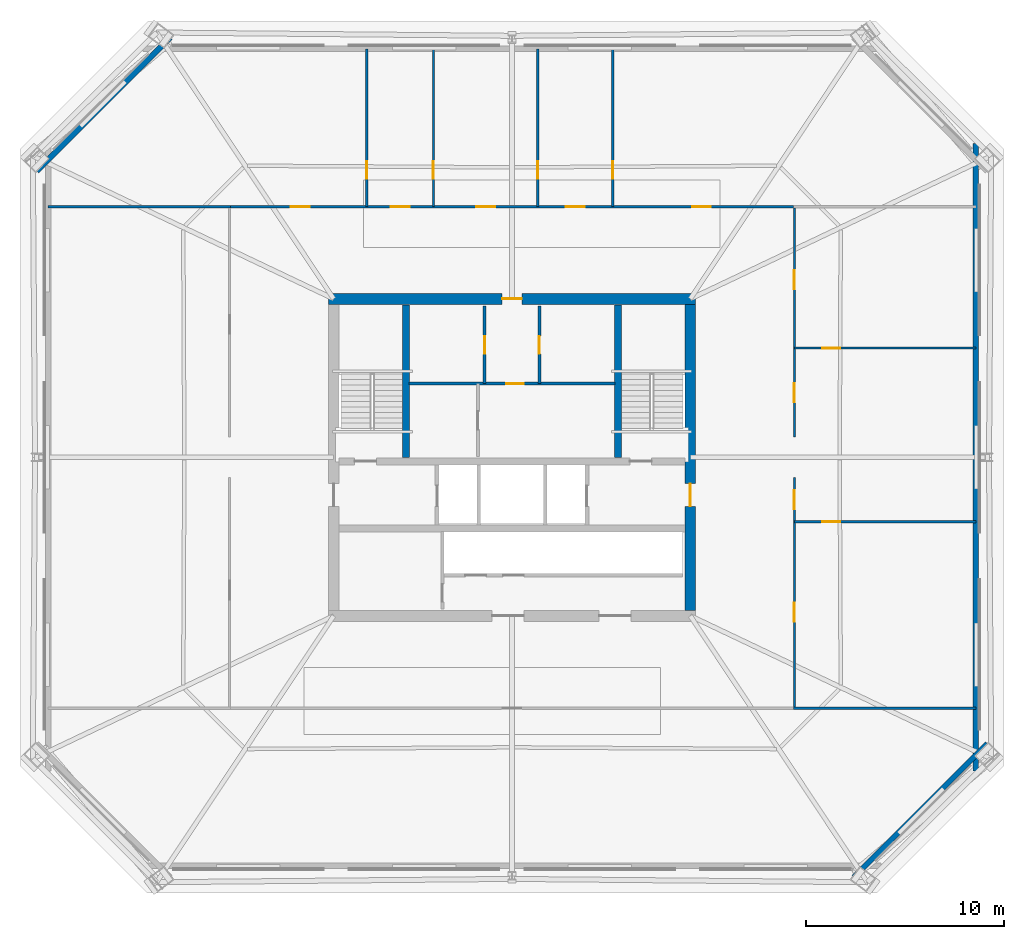
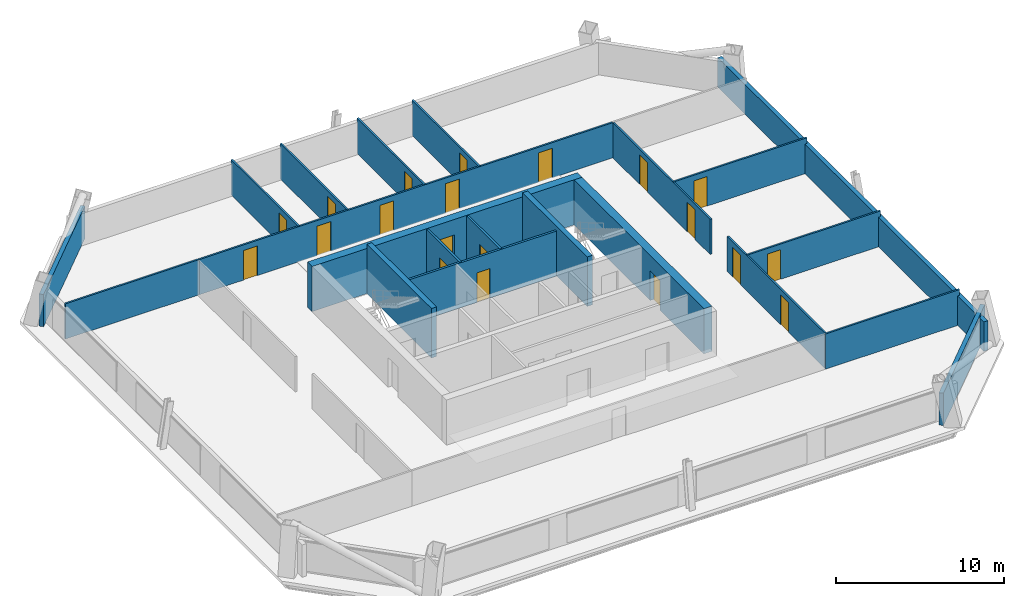
# One storey, part 3 of 6: 21 walls, 20 doors, 20 openings.
"""IFC4 building model written with IfcOpenShell, lengths in metres."""

from ifc_helpers import new_model, si_unit, direction, frame, frame_2d, origin, place, context, subcontext, project, spatial, rectangle, extrude, material, layer, layer_set, type_object, element, fill, save


model = new_model("IFC4")

# Units and contexts
model_context = context("Model", 3, precision=1e-05, world=origin(), true_north=direction((0.0, 1.0)))
body_context = subcontext(model_context, "Body", "Model", "MODEL_VIEW")
ifc_project = project(units=[si_unit("LENGTHUNIT", "METRE"), si_unit("AREAUNIT", "SQUARE_METRE"), si_unit("VOLUMEUNIT", "CUBIC_METRE"), si_unit("PLANEANGLEUNIT", "RADIAN"), si_unit("MASSUNIT", "GRAM", prefix="KILO")], contexts=[model_context])

# Site, building, storey
site_placement = place(None, origin())
site = spatial("IfcSite", under=ifc_project, at=site_placement, CompositionType="ELEMENT")
building_placement = place(site_placement, origin())
building = spatial("IfcBuilding", under=site, at=building_placement, Name="Caelvoria Tower", CompositionType="ELEMENT")
storey_placement = place(building_placement, frame((0.0, 0.0, 163.60009765625)))
storey = spatial("IfcBuildingStorey", under=building, at=storey_placement, Name="L43", CompositionType="ELEMENT", Elevation=163.60009765625)

# Walls
ifc_material_1 = material(Name="Concrete C50/60", Category="concrete")
ifc_layer_1 = layer(ifc_material_1, 0.35009765625, Name="Concrete C50/60")
ifc_layer_set_1 = layer_set([ifc_layer_1], Name="Core Internal Shear Wall 350 - Concrete C50/60")
wall_type_1 = type_object("IfcWallType", Name="Core Internal Shear Wall 350", PredefinedType="SHEAR", material=ifc_layer_set_1)
for number, where, z_axis, x_axis, name in (
    (1, (40.64990234375, 32.0, 0.0), (0.0, 0.0, 1.0), (0.0, 1.0, 0.0), "Interior Partition IW-L43-ST1E"),
    (2, (51.35009765625, 32.0, 0.0), (0.0, 0.0, 1.0), (0.0, 1.0, 0.0), "Interior Partition IW-L43-ST2W"),
):
    element("IfcWall", number, at=place(storey_placement, frame(where, z_axis=z_axis, x_axis=x_axis)), inside=storey, type_object=wall_type_1, Name=name, PredefinedType="SHEAR", context=body_context, shape_type="SweptSolid", body=[
        extrude(rectangle(XDim=7.699951171875, YDim=0.35009765625, at=frame_2d((3.85009765625, 0.0))), origin(), (0.0, 0.0, 1.0), 3.599853515625),
    ])

# Wall, opening, door
ifc_material_2 = material(Name="Double Gypsum Board on Steel Stud", Category="steel")
ifc_layer_2 = layer(ifc_material_2, 0.14990234375, Name="Double Gypsum Board on Steel Stud")
ifc_layer_set_2 = layer_set([ifc_layer_2], Name="Core Service Acoustic Partition Wall 150 - Double Gypsum Board on Steel Stud")
wall_type_2 = type_object("IfcWallType", Name="Core Service Acoustic Partition Wall 150", PredefinedType="PARTITIONING", material=ifc_layer_set_2)
wall_1_placement = place(storey_placement, frame((44.6201171875, 35.719970703125, 0.0), z_axis=(0.0, 0.0, 1.0), x_axis=(0.0, 1.0, 0.0)))
wall_1 = element("IfcWall", 3, at=wall_1_placement, inside=storey, type_object=wall_type_2, Name="Interior Partition IW-L43-C0L", PredefinedType="PARTITIONING", context=body_context, shape_type="SweptSolid", body=[
    extrude(rectangle(XDim=3.929931640625, YDim=0.14990234375, at=frame_2d((1.96484375, 0.0))), origin(), (0.0, 0.0, 1.0), 3.27978515625),
])
opening_1_placement = place(wall_1_placement, frame((1.5, 0.0, 0.0)))
opening_1 = element("IfcOpeningElement", 4, at=opening_1_placement, cuts=wall_1, Name="Opening ID-06", PredefinedType="OPENING", context=body_context, shape_type="SweptSolid", body=[
    extrude(rectangle(XDim=0.89990234375, YDim=2.14990234375, at=frame_2d((0.449951171875, 1.074951171875))), frame((0.0, 0.0849609375, 0.0), z_axis=(0.0, -1.0, 0.0), x_axis=(1.0, 0.0, 0.0)), (0.0, 0.0, 1.0), 0.169921875),
])
ifc_material_3 = material(Name="Engineered Andean Oak Veneer Door", Category="wood")
door_type_1 = type_object("IfcDoorType", Name="Interior Timber Door 900x2150", OperationType="NOTDEFINED", PredefinedType="DOOR", material=ifc_material_3)
door_1_placement = place(opening_1_placement, origin())
door_1 = element("IfcDoor", 5, at=door_1_placement, inside=storey, type_object=door_type_1, Name="Interior Door DR-L43-C01", OperationType="SINGLE_SWING_LEFT", OverallHeight=2.14990234375, OverallWidth=0.89990234375, PredefinedType="DOOR", context=body_context, shape_type="SweptSolid", body=[
    extrude(rectangle(XDim=0.89990234375, YDim=2.14990234375, at=frame_2d((0.449951171875, 1.074951171875))), frame((0.0, 0.02490234375, 0.0), z_axis=(0.0, -1.0, 0.0), x_axis=(1.0, 0.0, 0.0)), (0.0, 0.0, 1.0), 0.050048828125),
])
fill(opening_1, door_1)

wall_2_placement = place(storey_placement, frame((47.3798828125, 35.719970703125, 0.0), z_axis=(0.0, 0.0, 1.0), x_axis=(0.0, 1.0, 0.0)))
wall_2 = element("IfcWall", 6, at=wall_2_placement, inside=storey, type_object=wall_type_2, Name="Interior Partition IW-L43-C0R", PredefinedType="PARTITIONING", context=body_context, shape_type="SweptSolid", body=[
    extrude(rectangle(XDim=3.929931640625, YDim=0.14990234375, at=frame_2d((1.96484375, 0.0))), origin(), (0.0, 0.0, 1.0), 3.27978515625),
])
opening_2_placement = place(wall_2_placement, frame((1.5, 0.0, 0.0)))
opening_2 = element("IfcOpeningElement", 7, at=opening_2_placement, cuts=wall_2, Name="Opening ID-06", PredefinedType="OPENING", context=body_context, shape_type="SweptSolid", body=[
    extrude(rectangle(XDim=0.89990234375, YDim=2.14990234375, at=frame_2d((0.449951171875, 1.074951171875))), frame((0.0, 0.0849609375, 0.0), z_axis=(0.0, -1.0, 0.0), x_axis=(1.0, 0.0, 0.0)), (0.0, 0.0, 1.0), 0.169921875),
])
door_2_placement = place(opening_2_placement, origin())
door_2 = element("IfcDoor", 8, at=door_2_placement, inside=storey, type_object=door_type_1, Name="Interior Door DR-L43-C02", OperationType="SINGLE_SWING_RIGHT", OverallHeight=2.14990234375, OverallWidth=0.89990234375, PredefinedType="DOOR", context=body_context, shape_type="SweptSolid", body=[
    extrude(rectangle(XDim=0.89990234375, YDim=2.14990234375, at=frame_2d((0.449951171875, 1.074951171875))), frame((0.0, 0.02490234375, 0.0), z_axis=(0.0, -1.0, 0.0), x_axis=(1.0, 0.0, 0.0)), (0.0, 0.0, 1.0), 0.050048828125),
])
fill(opening_2, door_2)

wall_3_placement = place(storey_placement, frame((40.800048828125, 35.719970703125, 0.0), z_axis=(0.0, 0.0, 1.0), x_axis=(1.0, 0.0, 0.0)))
wall_3 = element("IfcWall", 9, at=wall_3_placement, inside=storey, type_object=wall_type_2, Name="Interior Partition IW-L43-C0H", PredefinedType="PARTITIONING", context=body_context, shape_type="SweptSolid", body=[
    extrude(rectangle(XDim=10.39990234375, YDim=0.14990234375, at=frame_2d((5.199951171875, 0.0))), origin(), (0.0, 0.0, 1.0), 3.27978515625),
])
opening_3_placement = place(wall_3_placement, frame((4.89990234375, 0.0, 0.0)))
opening_3 = element("IfcOpeningElement", 10, at=opening_3_placement, cuts=wall_3, Name="Opening ID-04", PredefinedType="OPENING", context=body_context, shape_type="SweptSolid", body=[
    extrude(rectangle(XDim=0.89990234375, YDim=2.14990234375, at=frame_2d((0.449951171875, 1.074951171875))), frame((0.0, 0.0849609375, 0.0), z_axis=(0.0, -1.0, 0.0), x_axis=(1.0, 0.0, 0.0)), (0.0, 0.0, 1.0), 0.169921875),
])
ifc_material_4 = material(Name="Acoustic Timber Fire Door", Category="wood")
door_type_2 = type_object("IfcDoorType", Name="Fire Door FD30S 900x2150", OperationType="NOTDEFINED", PredefinedType="DOOR", material=ifc_material_4)
door_3_placement = place(opening_3_placement, origin())
door_3 = element("IfcDoor", 11, at=door_3_placement, inside=storey, type_object=door_type_2, Name="Interior Door DR-L43-C04", OperationType="SINGLE_SWING_RIGHT", OverallHeight=2.14990234375, OverallWidth=0.89990234375, PredefinedType="DOOR", context=body_context, shape_type="SweptSolid", body=[
    extrude(rectangle(XDim=0.89990234375, YDim=2.14990234375, at=frame_2d((0.449951171875, 1.074951171875))), frame((0.0, 0.02490234375, 0.0), z_axis=(0.0, -1.0, 0.0), x_axis=(1.0, 0.0, 0.0)), (0.0, 0.0, 1.0), 0.050048828125),
])
fill(opening_3, door_3)

# Walls
ifc_material_5 = material(Name="Precast Concrete C40/50 with Bronze Cladding", Category="concrete")
ifc_layer_3 = layer(ifc_material_5, 0.280029296875, Name="Precast Concrete C40/50 with Bronze Cladding")
ifc_layer_set_3 = layer_set([ifc_layer_3], Name="Exterior Precast Concrete C40/50 Bronze-Clad Facade Wall 280 - Precast Concrete C40/50 with Bronze Cladding")
wall_type_3 = type_object("IfcWallType", Name="Exterior Precast Concrete C40/50 Bronze-Clad Facade Wall 280", PredefinedType="STANDARD", material=ifc_layer_set_3)
wall_4_placement = place(storey_placement, frame((63.25439453125, 10.80615234375, 0.0), z_axis=(0.0, 0.0, 1.0), x_axis=(0.707119588888, 0.707093973253, 0.0)))
element("IfcWall", 12, at=wall_4_placement, inside=storey, type_object=wall_type_3, Name="Exterior Facade Wall L43-E1", PredefinedType="STANDARD", context=body_context, shape_type="SweptSolid", body=[
    extrude(rectangle(XDim=9.531005859375, YDim=0.280029296875, at=frame_2d((4.765625, 0.0))), origin(), (0.0, 0.0, 1.0), 2.343017578125),
])
wall_5_placement = place(storey_placement, frame((69.419921875, 16.159912109375, 0.0), z_axis=(0.0, 0.0, 1.0), x_axis=(0.0, 1.0, 0.0)))
element("IfcWall", 13, at=wall_5_placement, inside=storey, type_object=wall_type_3, Name="Exterior Facade Wall L43-E2", PredefinedType="STANDARD", context=body_context, shape_type="SweptSolid", body=[
    extrude(rectangle(XDim=31.68017578125, YDim=0.280029296875, at=frame_2d((15.840087890625, 0.0))), origin(), (0.0, 0.0, 1.0), 2.15087890625),
])
wall_6_placement = place(storey_placement, frame((28.74560546875, 53.19384765625, 0.0), z_axis=(0.0, 0.0, 1.0), x_axis=(-0.707119588888, -0.707093973253, 0.0)))
element("IfcWall", 14, at=wall_6_placement, inside=storey, type_object=wall_type_3, Name="Exterior Facade Wall L43-E5", PredefinedType="STANDARD", context=body_context, shape_type="SweptSolid", body=[
    extrude(rectangle(XDim=9.531005859375, YDim=0.280029296875, at=frame_2d((4.765625, 0.0))), origin(), (0.0, 0.0, 1.0), 2.343017578125),
])

# Wall, opening, door
ifc_material_6 = material(Name="Concrete C55/67", Category="concrete")
ifc_layer_4 = layer(ifc_material_6, 0.550048828125, Name="Concrete C55/67")
ifc_layer_set_4 = layer_set([ifc_layer_4], Name="Mid Core Shear Wall 550 - Concrete C55/67")
wall_type_4 = type_object("IfcWallType", Name="Mid Core Shear Wall 550", PredefinedType="SHEAR", material=ifc_layer_set_4)
wall_7_placement = place(storey_placement, frame((36.72509765625, 40.0, 0.0), z_axis=(0.0, 0.0, 1.0), x_axis=(1.0, 0.0, 0.0)))
wall_7 = element("IfcWall", 15, at=wall_7_placement, inside=storey, type_object=wall_type_4, Name="Core Shear Wall L43 N", PredefinedType="SHEAR", context=body_context, shape_type="SweptSolid", body=[
    extrude(rectangle(XDim=18.5498046875, YDim=0.550048828125, at=frame_2d((9.27490234375, 0.0))), origin(), (0.0, 0.0, 1.0), 3.27978515625),
])
opening_4_placement = place(wall_7_placement, frame((8.77490234375, 0.0, 0.0)))
opening_4 = element("IfcOpeningElement", 16, at=opening_4_placement, cuts=wall_7, Name="Opening ID-03", PredefinedType="OPENING", context=body_context, shape_type="SweptSolid", body=[
    extrude(rectangle(XDim=1.0, YDim=2.14990234375, at=frame_2d((0.5, 1.074951171875))), frame((0.0, 0.284912109375, 0.0), z_axis=(0.0, -1.0, 0.0), x_axis=(1.0, 0.0, 0.0)), (0.0, 0.0, 1.0), 0.570068359375),
])
ifc_material_7 = material(Name="Painted Hollow Steel Fire Door", Category="steel")
door_type_3 = type_object("IfcDoorType", Name="Fire Door FD60S 1000x2150", OperationType="NOTDEFINED", PredefinedType="DOOR", material=ifc_material_7)
door_4_placement = place(opening_4_placement, origin())
door_4 = element("IfcDoor", 17, at=door_4_placement, inside=storey, type_object=door_type_3, Name="Core Door DR-L43-WC-MAIN", OperationType="SINGLE_SWING_RIGHT", OverallHeight=2.14990234375, OverallWidth=1.0, PredefinedType="DOOR", context=body_context, shape_type="SweptSolid", body=[
    extrude(rectangle(XDim=1.0, YDim=2.14990234375, at=frame_2d((0.5, 1.074951171875))), frame((0.0, 0.02490234375, 0.0), z_axis=(0.0, -1.0, 0.0), x_axis=(1.0, 0.0, 0.0)), (0.0, 0.0, 1.0), 0.050048828125),
])
fill(opening_4, door_4)

wall_8_placement = place(storey_placement, frame((55.0, 24.27490234375, 0.0), z_axis=(0.0, 0.0, 1.0), x_axis=(0.0, 1.0, 0.0)))
wall_8 = element("IfcWall", 18, at=wall_8_placement, inside=storey, type_object=wall_type_4, Name="Core Shear Wall L43 E", PredefinedType="SHEAR", context=body_context, shape_type="SweptSolid", body=[
    extrude(rectangle(XDim=15.4501953125, YDim=0.550048828125, at=frame_2d((7.72509765625, 0.0))), origin(), (0.0, 0.0, 1.0), 3.27978515625),
])
opening_5_placement = place(wall_8_placement, frame((5.25, 0.0, 0.0)))
opening_5 = element("IfcOpeningElement", 19, at=opening_5_placement, cuts=wall_8, Name="Opening ID-02", PredefinedType="OPENING", context=body_context, shape_type="SweptSolid", body=[
    extrude(rectangle(XDim=1.14990234375, YDim=2.14990234375, at=frame_2d((0.574951171875, 1.074951171875))), frame((0.0, 0.284912109375, 0.0), z_axis=(0.0, -1.0, 0.0), x_axis=(1.0, 0.0, 0.0)), (0.0, 0.0, 1.0), 0.570068359375),
])
door_type_4 = type_object("IfcDoorType", Name="Fire Door FD60S 1150x2150", OperationType="NOTDEFINED", PredefinedType="DOOR", material=ifc_material_7)
door_5_placement = place(opening_5_placement, origin())
door_5 = element("IfcDoor", 20, at=door_5_placement, inside=storey, type_object=door_type_4, Name="Core Door DR-L43-FFLE-OUT", OperationType="SINGLE_SWING_RIGHT", OverallHeight=2.14990234375, OverallWidth=1.14990234375, PredefinedType="DOOR", context=body_context, shape_type="SweptSolid", body=[
    extrude(rectangle(XDim=1.14990234375, YDim=2.14990234375, at=frame_2d((0.574951171875, 1.074951171875))), frame((0.0, 0.02490234375, 0.0), z_axis=(0.0, -1.0, 0.0), x_axis=(1.0, 0.0, 0.0)), (0.0, 0.0, 1.0), 0.050048828125),
])
fill(opening_5, door_5)

ifc_material_8 = material(Name="Acoustic Gypsum Board on Light-Gauge Stud", Category="gypsum")
ifc_layer_5 = layer(ifc_material_8, 0.1201171875, Name="Acoustic Gypsum Board on Light-Gauge Stud")
ifc_layer_set_5 = layer_set([ifc_layer_5], Name="Tenant Suite Acoustic Partition Wall 120 - Acoustic Gypsum Board on Light-Gauge Stud")
wall_type_5 = type_object("IfcWallType", Name="Tenant Suite Acoustic Partition Wall 120", PredefinedType="PARTITIONING", material=ifc_layer_set_5)
wall_9_placement = place(storey_placement, frame((38.67041015625, 44.659912109375, 0.0), z_axis=(0.0, 0.0, 1.0), x_axis=(0.0, 1.0, 0.0)))
wall_9 = element("IfcWall", 21, at=wall_9_placement, inside=storey, type_object=wall_type_5, Name="Interior Partition IW-L43-ND-00-0", PredefinedType="PARTITIONING", context=body_context, shape_type="SweptSolid", body=[
    extrude(rectangle(XDim=7.960205078125, YDim=0.1201171875, at=frame_2d((3.97998046875, 0.0))), origin(), (0.0, 0.0, 1.0), 2.559814453125),
])
opening_6_placement = place(wall_9_placement, frame((1.39990234375, 0.0, 0.0)))
opening_6 = element("IfcOpeningElement", 22, at=opening_6_placement, cuts=wall_9, Name="Opening ID-06", PredefinedType="OPENING", context=body_context, shape_type="SweptSolid", body=[
    extrude(rectangle(XDim=0.89990234375, YDim=2.14990234375, at=frame_2d((0.449951171875, 1.074951171875))), frame((0.0, 0.070068359375, 0.0), z_axis=(0.0, -1.0, 0.0), x_axis=(1.0, 0.0, 0.0)), (0.0, 0.0, 1.0), 0.14013671875),
])
door_6_placement = place(opening_6_placement, origin())
door_6 = element("IfcDoor", 23, at=door_6_placement, inside=storey, type_object=door_type_1, Name="Interior Door DR-L43-NM-00-0", OperationType="SINGLE_SWING_RIGHT", OverallHeight=2.14990234375, OverallWidth=0.89990234375, PredefinedType="DOOR", context=body_context, shape_type="SweptSolid", body=[
    extrude(rectangle(XDim=0.89990234375, YDim=2.14990234375, at=frame_2d((0.449951171875, 1.074951171875))), frame((0.0, 0.02490234375, 0.0), z_axis=(0.0, -1.0, 0.0), x_axis=(1.0, 0.0, 0.0)), (0.0, 0.0, 1.0), 0.050048828125),
])
fill(opening_6, door_6)

wall_10_placement = place(storey_placement, frame((42.0341796875, 44.659912109375, 0.0), z_axis=(0.0, 0.0, 1.0), x_axis=(0.0, 1.0, 0.0)))
wall_10 = element("IfcWall", 24, at=wall_10_placement, inside=storey, type_object=wall_type_5, Name="Interior Partition IW-L43-ND-01-0", PredefinedType="PARTITIONING", context=body_context, shape_type="SweptSolid", body=[
    extrude(rectangle(XDim=7.960205078125, YDim=0.1201171875, at=frame_2d((3.97998046875, 0.0))), origin(), (0.0, 0.0, 1.0), 2.559814453125),
])
opening_7_placement = place(wall_10_placement, frame((1.39990234375, 0.0, 0.0)))
opening_7 = element("IfcOpeningElement", 25, at=opening_7_placement, cuts=wall_10, Name="Opening ID-06", PredefinedType="OPENING", context=body_context, shape_type="SweptSolid", body=[
    extrude(rectangle(XDim=0.89990234375, YDim=2.14990234375, at=frame_2d((0.449951171875, 1.074951171875))), frame((0.0, 0.070068359375, 0.0), z_axis=(0.0, -1.0, 0.0), x_axis=(1.0, 0.0, 0.0)), (0.0, 0.0, 1.0), 0.14013671875),
])
door_7_placement = place(opening_7_placement, origin())
door_7 = element("IfcDoor", 26, at=door_7_placement, inside=storey, type_object=door_type_1, Name="Interior Door DR-L43-NM-01-0", OperationType="SINGLE_SWING_LEFT", OverallHeight=2.14990234375, OverallWidth=0.89990234375, PredefinedType="DOOR", context=body_context, shape_type="SweptSolid", body=[
    extrude(rectangle(XDim=0.89990234375, YDim=2.14990234375, at=frame_2d((0.449951171875, 1.074951171875))), frame((0.0, 0.02490234375, 0.0), z_axis=(0.0, -1.0, 0.0), x_axis=(1.0, 0.0, 0.0)), (0.0, 0.0, 1.0), 0.050048828125),
])
fill(opening_7, door_7)

wall_11_placement = place(storey_placement, frame((47.306884765625, 44.659912109375, 0.0), z_axis=(0.0, 0.0, 1.0), x_axis=(0.0, 1.0, 0.0)))
wall_11 = element("IfcWall", 27, at=wall_11_placement, inside=storey, type_object=wall_type_5, Name="Interior Partition IW-L43-ND-02-0", PredefinedType="PARTITIONING", context=body_context, shape_type="SweptSolid", body=[
    extrude(rectangle(XDim=7.960205078125, YDim=0.1201171875, at=frame_2d((3.97998046875, 0.0))), origin(), (0.0, 0.0, 1.0), 2.559814453125),
])
opening_8_placement = place(wall_11_placement, frame((1.39990234375, 0.0, 0.0)))
opening_8 = element("IfcOpeningElement", 28, at=opening_8_placement, cuts=wall_11, Name="Opening ID-06", PredefinedType="OPENING", context=body_context, shape_type="SweptSolid", body=[
    extrude(rectangle(XDim=0.89990234375, YDim=2.14990234375, at=frame_2d((0.449951171875, 1.074951171875))), frame((0.0, 0.070068359375, 0.0), z_axis=(0.0, -1.0, 0.0), x_axis=(1.0, 0.0, 0.0)), (0.0, 0.0, 1.0), 0.14013671875),
])
door_8_placement = place(opening_8_placement, origin())
door_8 = element("IfcDoor", 29, at=door_8_placement, inside=storey, type_object=door_type_1, Name="Interior Door DR-L43-NM-02-0", OperationType="SINGLE_SWING_RIGHT", OverallHeight=2.14990234375, OverallWidth=0.89990234375, PredefinedType="DOOR", context=body_context, shape_type="SweptSolid", body=[
    extrude(rectangle(XDim=0.89990234375, YDim=2.14990234375, at=frame_2d((0.449951171875, 1.074951171875))), frame((0.0, 0.02490234375, 0.0), z_axis=(0.0, -1.0, 0.0), x_axis=(1.0, 0.0, 0.0)), (0.0, 0.0, 1.0), 0.050048828125),
])
fill(opening_8, door_8)

wall_12_placement = place(storey_placement, frame((51.07958984375, 44.659912109375, 0.0), z_axis=(0.0, 0.0, 1.0), x_axis=(0.0, 1.0, 0.0)))
wall_12 = element("IfcWall", 30, at=wall_12_placement, inside=storey, type_object=wall_type_5, Name="Interior Partition IW-L43-ND-03-0", PredefinedType="PARTITIONING", context=body_context, shape_type="SweptSolid", body=[
    extrude(rectangle(XDim=7.960205078125, YDim=0.1201171875, at=frame_2d((3.97998046875, 0.0))), origin(), (0.0, 0.0, 1.0), 2.559814453125),
])
opening_9_placement = place(wall_12_placement, frame((1.39990234375, 0.0, 0.0)))
opening_9 = element("IfcOpeningElement", 31, at=opening_9_placement, cuts=wall_12, Name="Opening ID-06", PredefinedType="OPENING", context=body_context, shape_type="SweptSolid", body=[
    extrude(rectangle(XDim=0.89990234375, YDim=2.14990234375, at=frame_2d((0.449951171875, 1.074951171875))), frame((0.0, 0.070068359375, 0.0), z_axis=(0.0, -1.0, 0.0), x_axis=(1.0, 0.0, 0.0)), (0.0, 0.0, 1.0), 0.14013671875),
])
door_9_placement = place(opening_9_placement, origin())
door_9 = element("IfcDoor", 32, at=door_9_placement, inside=storey, type_object=door_type_1, Name="Interior Door DR-L43-NM-03-0", OperationType="SINGLE_SWING_LEFT", OverallHeight=2.14990234375, OverallWidth=0.89990234375, PredefinedType="DOOR", context=body_context, shape_type="SweptSolid", body=[
    extrude(rectangle(XDim=0.89990234375, YDim=2.14990234375, at=frame_2d((0.449951171875, 1.074951171875))), frame((0.0, 0.02490234375, 0.0), z_axis=(0.0, -1.0, 0.0), x_axis=(1.0, 0.0, 0.0)), (0.0, 0.0, 1.0), 0.050048828125),
])
fill(opening_9, door_9)

# Wall, openings, doors
wall_13_placement = place(storey_placement, frame((31.800048828125, 44.659912109375, 0.0), z_axis=(0.0, 0.0, 1.0), x_axis=(1.0, 0.0, 0.0)))
wall_13 = element("IfcWall", 33, at=wall_13_placement, inside=storey, type_object=wall_type_5, Name="Interior Partition IW-L43-NCW-0", PredefinedType="PARTITIONING", context=body_context, shape_type="SweptSolid", body=[
    extrude(rectangle(XDim=28.39990234375, YDim=0.1201171875, at=frame_2d((14.199951171875, 0.0))), origin(), (0.0, 0.0, 1.0), 2.559814453125),
])
opening_10_placement = place(wall_13_placement, frame((3.0302734375, 0.0, 0.0)))
opening_10 = element("IfcOpeningElement", 34, at=opening_10_placement, cuts=wall_13, Name="Opening ID-05", PredefinedType="OPENING", context=body_context, shape_type="SweptSolid", body=[
    extrude(rectangle(XDim=0.949951171875, YDim=2.14990234375, at=frame_2d((0.47509765625, 1.074951171875))), frame((0.0, 0.070068359375, 0.0), z_axis=(0.0, -1.0, 0.0), x_axis=(1.0, 0.0, 0.0)), (0.0, 0.0, 1.0), 0.14013671875),
])
opening_11_placement = place(wall_13_placement, frame((8.077392578125, 0.0, 0.0)))
opening_11 = element("IfcOpeningElement", 35, at=opening_11_placement, cuts=wall_13, Name="Opening ID-05", PredefinedType="OPENING", context=body_context, shape_type="SweptSolid", body=[
    extrude(rectangle(XDim=0.949951171875, YDim=2.14990234375, at=frame_2d((0.47509765625, 1.074951171875))), frame((0.0, 0.070068359375, 0.0), z_axis=(0.0, -1.0, 0.0), x_axis=(1.0, 0.0, 0.0)), (0.0, 0.0, 1.0), 0.14013671875),
])
opening_12_placement = place(wall_13_placement, frame((12.3955078125, 0.0, 0.0)))
opening_12 = element("IfcOpeningElement", 36, at=opening_12_placement, cuts=wall_13, Name="Opening ID-05", PredefinedType="OPENING", context=body_context, shape_type="SweptSolid", body=[
    extrude(rectangle(XDim=0.949951171875, YDim=2.14990234375, at=frame_2d((0.47509765625, 1.074951171875))), frame((0.0, 0.070068359375, 0.0), z_axis=(0.0, -1.0, 0.0), x_axis=(1.0, 0.0, 0.0)), (0.0, 0.0, 1.0), 0.14013671875),
])
opening_13_placement = place(wall_13_placement, frame((16.918212890625, 0.0, 0.0)))
opening_13 = element("IfcOpeningElement", 37, at=opening_13_placement, cuts=wall_13, Name="Opening ID-05", PredefinedType="OPENING", context=body_context, shape_type="SweptSolid", body=[
    extrude(rectangle(XDim=0.949951171875, YDim=2.14990234375, at=frame_2d((0.47509765625, 1.074951171875))), frame((0.0, 0.070068359375, 0.0), z_axis=(0.0, -1.0, 0.0), x_axis=(1.0, 0.0, 0.0)), (0.0, 0.0, 1.0), 0.14013671875),
])
opening_14_placement = place(wall_13_placement, frame((23.294921875, 0.0, 0.0)))
opening_14 = element("IfcOpeningElement", 38, at=opening_14_placement, cuts=wall_13, Name="Opening ID-05", PredefinedType="OPENING", context=body_context, shape_type="SweptSolid", body=[
    extrude(rectangle(XDim=0.949951171875, YDim=2.14990234375, at=frame_2d((0.47509765625, 1.074951171875))), frame((0.0, 0.070068359375, 0.0), z_axis=(0.0, -1.0, 0.0), x_axis=(1.0, 0.0, 0.0)), (0.0, 0.0, 1.0), 0.14013671875),
])
door_type_5 = type_object("IfcDoorType", Name="Interior Timber Door 950x2150", OperationType="NOTDEFINED", PredefinedType="DOOR", material=ifc_material_3)
door_10_placement = place(opening_10_placement, origin())
door_10 = element("IfcDoor", 39, at=door_10_placement, inside=storey, type_object=door_type_5, Name="Interior Door DR-L43-NC-00-0", OperationType="SINGLE_SWING_RIGHT", OverallHeight=2.14990234375, OverallWidth=0.949951171875, PredefinedType="DOOR", context=body_context, shape_type="SweptSolid", body=[
    extrude(rectangle(XDim=0.949951171875, YDim=2.14990234375, at=frame_2d((0.47509765625, 1.074951171875))), frame((0.0, 0.02490234375, 0.0), z_axis=(0.0, -1.0, 0.0), x_axis=(1.0, 0.0, 0.0)), (0.0, 0.0, 1.0), 0.050048828125),
])
fill(opening_10, door_10)
door_11_placement = place(opening_11_placement, origin())
door_11 = element("IfcDoor", 40, at=door_11_placement, inside=storey, type_object=door_type_5, Name="Interior Door DR-L43-NC-01-0", OperationType="SINGLE_SWING_LEFT", OverallHeight=2.14990234375, OverallWidth=0.949951171875, PredefinedType="DOOR", context=body_context, shape_type="SweptSolid", body=[
    extrude(rectangle(XDim=0.949951171875, YDim=2.14990234375, at=frame_2d((0.47509765625, 1.074951171875))), frame((0.0, 0.02490234375, 0.0), z_axis=(0.0, -1.0, 0.0), x_axis=(1.0, 0.0, 0.0)), (0.0, 0.0, 1.0), 0.050048828125),
])
fill(opening_11, door_11)
door_12_placement = place(opening_12_placement, origin())
door_12 = element("IfcDoor", 41, at=door_12_placement, inside=storey, type_object=door_type_5, Name="Interior Door DR-L43-NC-02-0", OperationType="SINGLE_SWING_RIGHT", OverallHeight=2.14990234375, OverallWidth=0.949951171875, PredefinedType="DOOR", context=body_context, shape_type="SweptSolid", body=[
    extrude(rectangle(XDim=0.949951171875, YDim=2.14990234375, at=frame_2d((0.47509765625, 1.074951171875))), frame((0.0, 0.02490234375, 0.0), z_axis=(0.0, -1.0, 0.0), x_axis=(1.0, 0.0, 0.0)), (0.0, 0.0, 1.0), 0.050048828125),
])
fill(opening_12, door_12)
door_13_placement = place(opening_13_placement, origin())
door_13 = element("IfcDoor", 42, at=door_13_placement, inside=storey, type_object=door_type_5, Name="Interior Door DR-L43-NC-03-0", OperationType="SINGLE_SWING_LEFT", OverallHeight=2.14990234375, OverallWidth=0.949951171875, PredefinedType="DOOR", context=body_context, shape_type="SweptSolid", body=[
    extrude(rectangle(XDim=0.949951171875, YDim=2.14990234375, at=frame_2d((0.47509765625, 1.074951171875))), frame((0.0, 0.02490234375, 0.0), z_axis=(0.0, -1.0, 0.0), x_axis=(1.0, 0.0, 0.0)), (0.0, 0.0, 1.0), 0.050048828125),
])
fill(opening_13, door_13)
door_14_placement = place(opening_14_placement, origin())
door_14 = element("IfcDoor", 43, at=door_14_placement, inside=storey, type_object=door_type_5, Name="Interior Door DR-L43-NC-04-0", OperationType="SINGLE_SWING_RIGHT", OverallHeight=2.14990234375, OverallWidth=0.949951171875, PredefinedType="DOOR", context=body_context, shape_type="SweptSolid", body=[
    extrude(rectangle(XDim=0.949951171875, YDim=2.14990234375, at=frame_2d((0.47509765625, 1.074951171875))), frame((0.0, 0.02490234375, 0.0), z_axis=(0.0, -1.0, 0.0), x_axis=(1.0, 0.0, 0.0)), (0.0, 0.0, 1.0), 0.050048828125),
])
fill(opening_14, door_14)

# Wall, opening, door
wall_14_placement = place(storey_placement, frame((60.260009765625, 28.758056640625, 0.0), z_axis=(0.0, 0.0, 1.0), x_axis=(1.0, 0.0, 0.0)))
wall_14 = element("IfcWall", 44, at=wall_14_placement, inside=storey, type_object=wall_type_5, Name="Interior Partition IW-L43-ED-00-0", PredefinedType="PARTITIONING", context=body_context, shape_type="SweptSolid", body=[
    extrude(rectangle(XDim=9.159912109375, YDim=0.1201171875, at=frame_2d((4.580078125, 0.0))), origin(), (0.0, 0.0, 1.0), 2.559814453125),
])
opening_15_placement = place(wall_14_placement, frame((1.39990234375, 0.0, 0.0)))
opening_15 = element("IfcOpeningElement", 45, at=opening_15_placement, cuts=wall_14, Name="Opening ID-06", PredefinedType="OPENING", context=body_context, shape_type="SweptSolid", body=[
    extrude(rectangle(XDim=0.89990234375, YDim=2.14990234375, at=frame_2d((0.449951171875, 1.074951171875))), frame((0.0, 0.070068359375, 0.0), z_axis=(0.0, -1.0, 0.0), x_axis=(1.0, 0.0, 0.0)), (0.0, 0.0, 1.0), 0.14013671875),
])
door_15_placement = place(opening_15_placement, origin())
door_15 = element("IfcDoor", 46, at=door_15_placement, inside=storey, type_object=door_type_1, Name="Interior Door DR-L43-EM-00-0", OperationType="SINGLE_SWING_RIGHT", OverallHeight=2.14990234375, OverallWidth=0.89990234375, PredefinedType="DOOR", context=body_context, shape_type="SweptSolid", body=[
    extrude(rectangle(XDim=0.89990234375, YDim=2.14990234375, at=frame_2d((0.449951171875, 1.074951171875))), frame((0.0, 0.02490234375, 0.0), z_axis=(0.0, -1.0, 0.0), x_axis=(1.0, 0.0, 0.0)), (0.0, 0.0, 1.0), 0.050048828125),
])
fill(opening_15, door_15)

wall_15_placement = place(storey_placement, frame((60.260009765625, 37.519287109375, 0.0), z_axis=(0.0, 0.0, 1.0), x_axis=(1.0, 0.0, 0.0)))
wall_15 = element("IfcWall", 47, at=wall_15_placement, inside=storey, type_object=wall_type_5, Name="Interior Partition IW-L43-ED-01-0", PredefinedType="PARTITIONING", context=body_context, shape_type="SweptSolid", body=[
    extrude(rectangle(XDim=9.159912109375, YDim=0.1201171875, at=frame_2d((4.580078125, 0.0))), origin(), (0.0, 0.0, 1.0), 2.559814453125),
])
opening_16_placement = place(wall_15_placement, frame((1.39990234375, 0.0, 0.0)))
opening_16 = element("IfcOpeningElement", 48, at=opening_16_placement, cuts=wall_15, Name="Opening ID-06", PredefinedType="OPENING", context=body_context, shape_type="SweptSolid", body=[
    extrude(rectangle(XDim=0.89990234375, YDim=2.14990234375, at=frame_2d((0.449951171875, 1.074951171875))), frame((0.0, 0.070068359375, 0.0), z_axis=(0.0, -1.0, 0.0), x_axis=(1.0, 0.0, 0.0)), (0.0, 0.0, 1.0), 0.14013671875),
])
door_16_placement = place(opening_16_placement, origin())
door_16 = element("IfcDoor", 49, at=door_16_placement, inside=storey, type_object=door_type_1, Name="Interior Door DR-L43-EM-01-0", OperationType="SINGLE_SWING_LEFT", OverallHeight=2.14990234375, OverallWidth=0.89990234375, PredefinedType="DOOR", context=body_context, shape_type="SweptSolid", body=[
    extrude(rectangle(XDim=0.89990234375, YDim=2.14990234375, at=frame_2d((0.449951171875, 1.074951171875))), frame((0.0, 0.02490234375, 0.0), z_axis=(0.0, -1.0, 0.0), x_axis=(1.0, 0.0, 0.0)), (0.0, 0.0, 1.0), 0.050048828125),
])
fill(opening_16, door_16)

# Wall, openings, doors
wall_16_placement = place(storey_placement, frame((60.260009765625, 19.39990234375, 0.0), z_axis=(0.0, 0.0, 1.0), x_axis=(0.0, 1.0, 0.0)))
wall_16 = element("IfcWall", 50, at=wall_16_placement, inside=storey, type_object=wall_type_5, Name="Interior Partition IW-L43-ECW-0", PredefinedType="PARTITIONING", context=body_context, shape_type="SweptSolid", body=[
    extrude(rectangle(XDim=11.580078125, YDim=0.1201171875, at=frame_2d((5.7900390625, 0.0))), origin(), (0.0, 0.0, 1.0), 2.559814453125),
])
opening_17_placement = place(wall_16_placement, frame((4.303955078125, 0.0, 0.0)))
opening_17 = element("IfcOpeningElement", 51, at=opening_17_placement, cuts=wall_16, Name="Opening ID-05", PredefinedType="OPENING", context=body_context, shape_type="SweptSolid", body=[
    extrude(rectangle(XDim=0.949951171875, YDim=2.14990234375, at=frame_2d((0.47509765625, 1.074951171875))), frame((0.0, 0.070068359375, 0.0), z_axis=(0.0, -1.0, 0.0), x_axis=(1.0, 0.0, 0.0)), (0.0, 0.0, 1.0), 0.14013671875),
])
opening_18_placement = place(wall_16_placement, frame((9.993896484375, 0.0, 0.0)))
opening_18 = element("IfcOpeningElement", 52, at=opening_18_placement, cuts=wall_16, Name="Opening ID-05", PredefinedType="OPENING", context=body_context, shape_type="SweptSolid", body=[
    extrude(rectangle(XDim=0.949951171875, YDim=2.14990234375, at=frame_2d((0.47509765625, 1.074951171875))), frame((0.0, 0.070068359375, 0.0), z_axis=(0.0, -1.0, 0.0), x_axis=(1.0, 0.0, 0.0)), (0.0, 0.0, 1.0), 0.14013671875),
])
door_17_placement = place(opening_17_placement, origin())
door_17 = element("IfcDoor", 53, at=door_17_placement, inside=storey, type_object=door_type_5, Name="Interior Door DR-L43-EC-00-0", OperationType="SINGLE_SWING_RIGHT", OverallHeight=2.14990234375, OverallWidth=0.949951171875, PredefinedType="DOOR", context=body_context, shape_type="SweptSolid", body=[
    extrude(rectangle(XDim=0.949951171875, YDim=2.14990234375, at=frame_2d((0.47509765625, 1.074951171875))), frame((0.0, 0.02490234375, 0.0), z_axis=(0.0, -1.0, 0.0), x_axis=(1.0, 0.0, 0.0)), (0.0, 0.0, 1.0), 0.050048828125),
])
fill(opening_17, door_17)
door_18_placement = place(opening_18_placement, origin())
door_18 = element("IfcDoor", 54, at=door_18_placement, inside=storey, type_object=door_type_5, Name="Interior Door DR-L43-EC-01-1", OperationType="SINGLE_SWING_RIGHT", OverallHeight=2.14990234375, OverallWidth=0.949951171875, PredefinedType="DOOR", context=body_context, shape_type="SweptSolid", body=[
    extrude(rectangle(XDim=0.949951171875, YDim=2.14990234375, at=frame_2d((0.47509765625, 1.074951171875))), frame((0.0, 0.02490234375, 0.0), z_axis=(0.0, -1.0, 0.0), x_axis=(1.0, 0.0, 0.0)), (0.0, 0.0, 1.0), 0.050048828125),
])
fill(opening_18, door_18)

wall_17_placement = place(storey_placement, frame((60.260009765625, 33.02001953125, 0.0), z_axis=(0.0, 0.0, 1.0), x_axis=(0.0, 1.0, 0.0)))
wall_17 = element("IfcWall", 55, at=wall_17_placement, inside=storey, type_object=wall_type_5, Name="Interior Partition IW-L43-ECW-1", PredefinedType="PARTITIONING", context=body_context, shape_type="SweptSolid", body=[
    extrude(rectangle(XDim=11.580078125, YDim=0.1201171875, at=frame_2d((5.7900390625, 0.0))), origin(), (0.0, 0.0, 1.0), 2.559814453125),
])
opening_19_placement = place(wall_17_placement, frame((1.774658203125, 0.0, 0.0)))
opening_19 = element("IfcOpeningElement", 56, at=opening_19_placement, cuts=wall_17, Name="Opening ID-05", PredefinedType="OPENING", context=body_context, shape_type="SweptSolid", body=[
    extrude(rectangle(XDim=0.949951171875, YDim=2.14990234375, at=frame_2d((0.47509765625, 1.074951171875))), frame((0.0, 0.070068359375, 0.0), z_axis=(0.0, -1.0, 0.0), x_axis=(1.0, 0.0, 0.0)), (0.0, 0.0, 1.0), 0.14013671875),
])
opening_20_placement = place(wall_17_placement, frame((7.464599609375, 0.0, 0.0)))
opening_20 = element("IfcOpeningElement", 57, at=opening_20_placement, cuts=wall_17, Name="Opening ID-05", PredefinedType="OPENING", context=body_context, shape_type="SweptSolid", body=[
    extrude(rectangle(XDim=0.949951171875, YDim=2.14990234375, at=frame_2d((0.47509765625, 1.074951171875))), frame((0.0, 0.070068359375, 0.0), z_axis=(0.0, -1.0, 0.0), x_axis=(1.0, 0.0, 0.0)), (0.0, 0.0, 1.0), 0.14013671875),
])
door_19_placement = place(opening_19_placement, origin())
door_19 = element("IfcDoor", 58, at=door_19_placement, inside=storey, type_object=door_type_5, Name="Interior Door DR-L43-EC-01-0", OperationType="SINGLE_SWING_LEFT", OverallHeight=2.14990234375, OverallWidth=0.949951171875, PredefinedType="DOOR", context=body_context, shape_type="SweptSolid", body=[
    extrude(rectangle(XDim=0.949951171875, YDim=2.14990234375, at=frame_2d((0.47509765625, 1.074951171875))), frame((0.0, 0.02490234375, 0.0), z_axis=(0.0, -1.0, 0.0), x_axis=(1.0, 0.0, 0.0)), (0.0, 0.0, 1.0), 0.050048828125),
])
fill(opening_19, door_19)
door_20_placement = place(opening_20_placement, origin())
door_20 = element("IfcDoor", 59, at=door_20_placement, inside=storey, type_object=door_type_5, Name="Interior Door DR-L43-EC-02-0", OperationType="SINGLE_SWING_RIGHT", OverallHeight=2.14990234375, OverallWidth=0.949951171875, PredefinedType="DOOR", context=body_context, shape_type="SweptSolid", body=[
    extrude(rectangle(XDim=0.949951171875, YDim=2.14990234375, at=frame_2d((0.47509765625, 1.074951171875))), frame((0.0, 0.02490234375, 0.0), z_axis=(0.0, -1.0, 0.0), x_axis=(1.0, 0.0, 0.0)), (0.0, 0.0, 1.0), 0.050048828125),
])
fill(opening_20, door_20)

# Walls
for number, where, z_axis, x_axis, name in (
    (60, (60.199951171875, 19.340087890625, 0.0), (0.0, 0.0, 1.0), (1.0, 0.0, 0.0), "Interior Partition IW-L43-BSE-0"),
    (61, (31.800048828125, 44.659912109375, 0.0), (0.0, 0.0, 1.0), (-1.0, 0.0, 0.0), "Interior Partition IW-L43-BNW-0"),
):
    element("IfcWall", number, at=place(storey_placement, frame(where, z_axis=z_axis, x_axis=x_axis)), inside=storey, type_object=wall_type_5, Name=name, PredefinedType="PARTITIONING", context=body_context, shape_type="SweptSolid", body=[
        extrude(rectangle(XDim=9.219970703125, YDim=0.1201171875, at=frame_2d((4.60986328125, 0.0))), origin(), (0.0, 0.0, 1.0), 2.559814453125),
    ])

save(model, "model.ifc")
